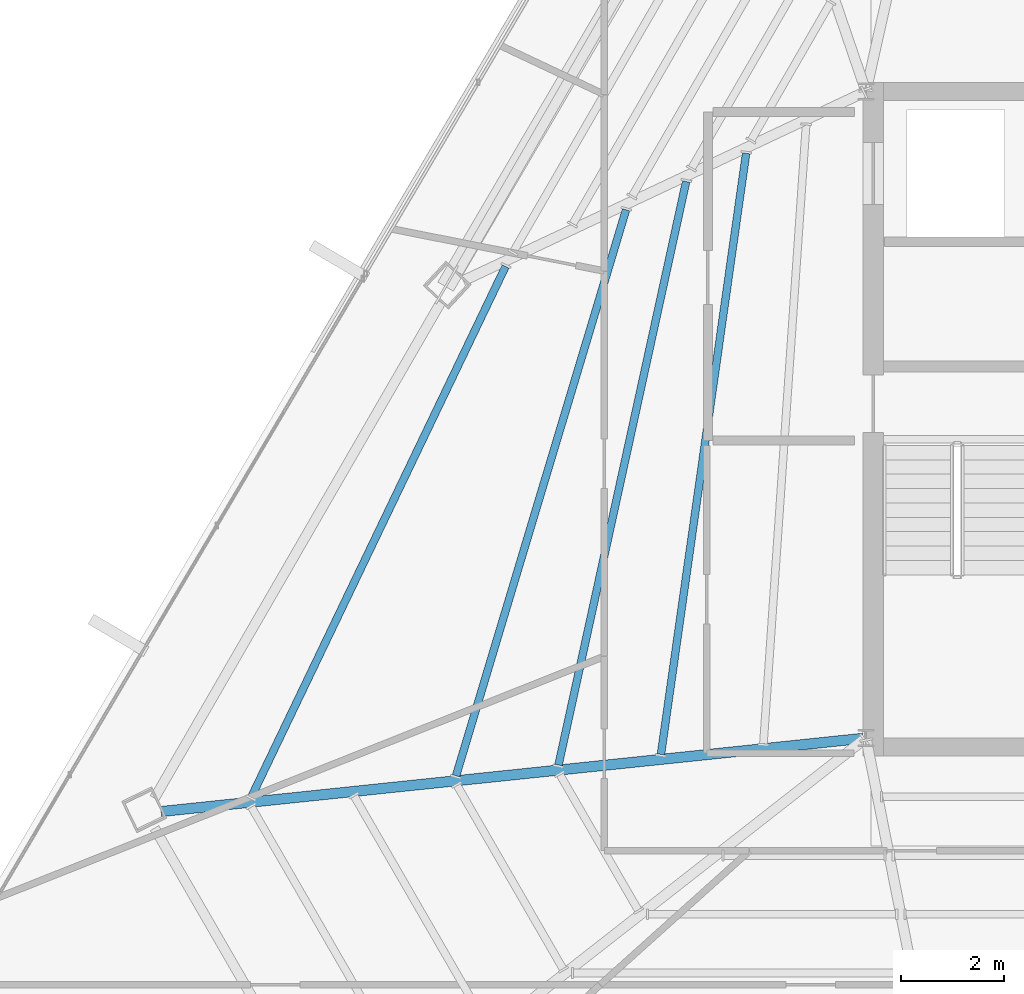
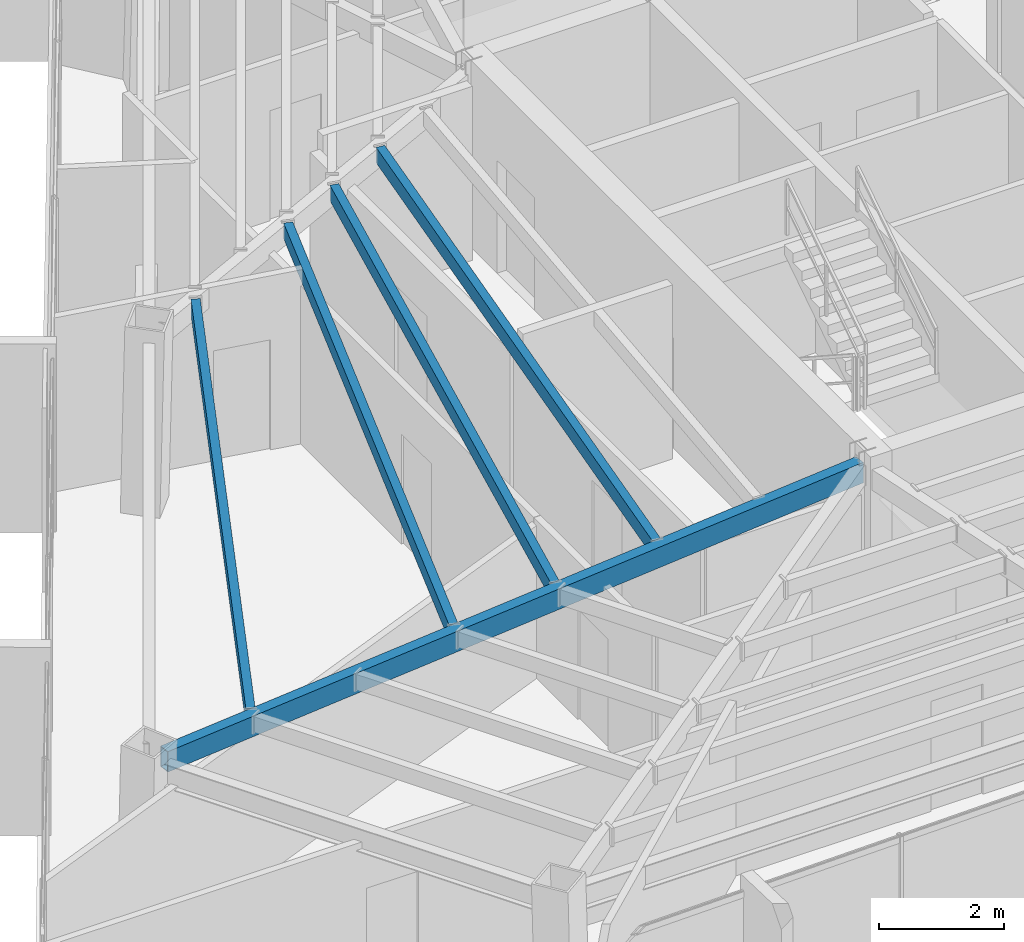
# One storey, part 10 of 47: 5 beams.
"""IFC4 building model written with IfcOpenShell, lengths in metres."""

from ifc_helpers import new_model, si_unit, direction, frame, origin, origin_2d, place, context, subcontext, project, spatial, hollow_rectangle, extrude, source, transform, mapped, material, material_profile, profile_set, type_object, type_shapes, element, save


model = new_model("IFC4")

# Units and contexts
model_context = context("Model", 3, precision=1e-05, world=origin(), true_north=direction((0.0, 1.0)))
body_context = subcontext(model_context, "Body", "Model", "MODEL_VIEW")
ifc_project = project(units=[si_unit("LENGTHUNIT", "METRE"), si_unit("AREAUNIT", "SQUARE_METRE"), si_unit("VOLUMEUNIT", "CUBIC_METRE"), si_unit("PLANEANGLEUNIT", "RADIAN"), si_unit("MASSUNIT", "GRAM", prefix="KILO")], contexts=[model_context])

# Site, building, storey
site_placement = place(None, origin())
site = spatial("IfcSite", under=ifc_project, at=site_placement, CompositionType="ELEMENT")
building_placement = place(site_placement, origin())
building = spatial("IfcBuilding", under=site, at=building_placement, Name="Caelisora Broadcast Tower", CompositionType="ELEMENT")
storey_placement = place(building_placement, frame((0.0, 0.0, 255.39990234375)))
storey = spatial("IfcBuildingStorey", under=building, at=storey_placement, Name="L67", CompositionType="ELEMENT", Elevation=255.39990234375)

# Beams
ifc_material = material(Name="Steel Grade 350 (AS/NZS 1163 C350L0)", Category="steel")
ifc_material_profile_1 = material_profile(ifc_material, hollow_rectangle(XDim=0.199951171875, YDim=0.39990234375, WallThickness=0.012451171875, at=origin_2d()), Name="Steel Grade 350 (AS/NZS 1163 C350L0)")
ifc_profile_set_1 = profile_set([ifc_material_profile_1], Name="Steel Grade 350 (AS/NZS 1163 C350L0)")
beam_type_1 = type_object("IfcBeamType", Name="PG07", PredefinedType="BEAM", material=ifc_profile_set_1)
shared_shape_1 = source(origin(), body_context, "Body", "SweptSolid", [
    extrude(hollow_rectangle(XDim=0.199951171875, YDim=0.39990234375, WallThickness=0.012451171875, at=origin_2d()), origin(), (0.0, 0.0, 1.0), 13.750244140625),
])
type_shapes(beam_type_1, [shared_shape_1])
beam_1_placement = place(storey_placement, frame((30.440185546875, 17.393798828125, 3.2001953125), z_axis=(-0.994602120233, -0.103762336267, 0.0), x_axis=(0.103762336267, -0.994602120233, 0.0)))
element("IfcBeam", 1, at=beam_1_placement, inside=storey, type_object=beam_type_1, Name="L67 beam PG07", PredefinedType="BEAM", context=body_context, shape_type="MappedRepresentation", body=[
    mapped(shared_shape_1, transform((0.0, 0.0, 0.0), scale=1.0)),
])
ifc_material_profile_2 = material_profile(ifc_material, hollow_rectangle(XDim=0.14990234375, YDim=0.300048828125, WallThickness=0.010009765625, at=origin_2d()), Name="Steel Grade 350 (AS/NZS 1163 C350L0)")
ifc_profile_set_2 = profile_set([ifc_material_profile_2], Name="Steel Grade 350 (AS/NZS 1163 C350L0)")
beam_type_2 = type_object("IfcBeamType", Name="SB05", PredefinedType="JOIST", material=ifc_profile_set_2)
shared_shape_2 = source(origin(), body_context, "Body", "SweptSolid", [
    extrude(hollow_rectangle(XDim=0.14990234375, YDim=0.300048828125, WallThickness=0.010009765625, at=origin_2d()), origin(), (0.0, 0.0, 1.0), 11.830322265625),
])
beam_2_placement = place(storey_placement, frame((28.164794921875, 28.794189453125, 3.25), z_axis=(-0.140308948634, -0.990107771373, 0.0), x_axis=(0.990107771373, -0.140308948634, 0.0)))
element("IfcBeam", 2, at=beam_2_placement, inside=storey, type_object=beam_type_2, Name="L67 beam SB05", PredefinedType="JOIST", context=body_context, shape_type="MappedRepresentation", body=[
    mapped(shared_shape_2, transform((0.0, 0.0, 0.0), scale=1.0)),
])
shared_shape_3 = source(origin(), body_context, "Body", "SweptSolid", [
    extrude(hollow_rectangle(XDim=0.14990234375, YDim=0.300048828125, WallThickness=0.010009765625, at=origin_2d()), origin(), (0.0, 0.0, 1.0), 11.640625),
])
beam_3_placement = place(storey_placement, frame((26.99560546875, 28.244384765625, 3.25), z_axis=(-0.213693751425, -0.976900701505, 0.0), x_axis=(0.976900701505, -0.213693751425, 0.0)))
element("IfcBeam", 3, at=beam_3_placement, inside=storey, type_object=beam_type_2, Name="L67 beam SB05", PredefinedType="JOIST", context=body_context, shape_type="MappedRepresentation", body=[
    mapped(shared_shape_3, transform((0.0, 0.0, 0.0), scale=1.0)),
])
shared_shape_4 = source(origin(), body_context, "Body", "SweptSolid", [
    extrude(hollow_rectangle(XDim=0.14990234375, YDim=0.300048828125, WallThickness=0.010009765625, at=origin_2d()), origin(), (0.0, 0.0, 1.0), 11.515869140625),
])
beam_4_placement = place(storey_placement, frame((25.82470703125, 27.693603515625, 3.25), z_axis=(-0.287668793555, -0.957729954222, 0.0), x_axis=(0.957729954222, -0.287668793555, 0.0)))
element("IfcBeam", 4, at=beam_4_placement, inside=storey, type_object=beam_type_2, Name="L67 beam SB05", PredefinedType="JOIST", context=body_context, shape_type="MappedRepresentation", body=[
    mapped(shared_shape_4, transform((0.0, 0.0, 0.0), scale=1.0)),
])
shared_shape_5 = source(origin(), body_context, "Body", "SweptSolid", [
    extrude(hollow_rectangle(XDim=0.14990234375, YDim=0.300048828125, WallThickness=0.010009765625, at=origin_2d()), origin(), (0.0, 0.0, 1.0), 11.46630859375),
])
type_shapes(beam_type_2, [shared_shape_2, shared_shape_3, shared_shape_4, shared_shape_5])
beam_5_placement = place(storey_placement, frame((23.4765625, 26.589111328125, 3.25), z_axis=(-0.432118376671, -0.901816893024, 0.0), x_axis=(0.901816893024, -0.432118376671, 0.0)))
element("IfcBeam", 5, at=beam_5_placement, inside=storey, type_object=beam_type_2, Name="L67 beam SB05", PredefinedType="JOIST", context=body_context, shape_type="MappedRepresentation", body=[
    mapped(shared_shape_5, transform((0.0, 0.0, 0.0), scale=1.0)),
])

save(model, "model.ifc")
